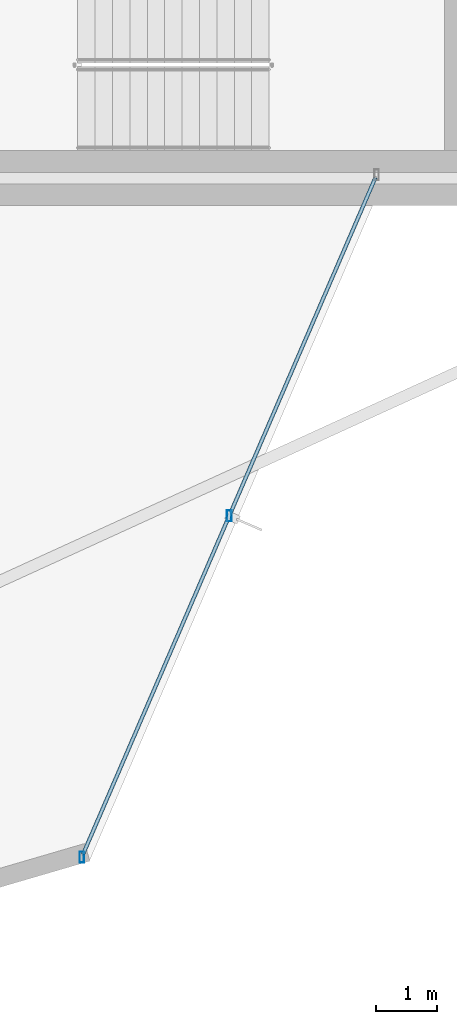
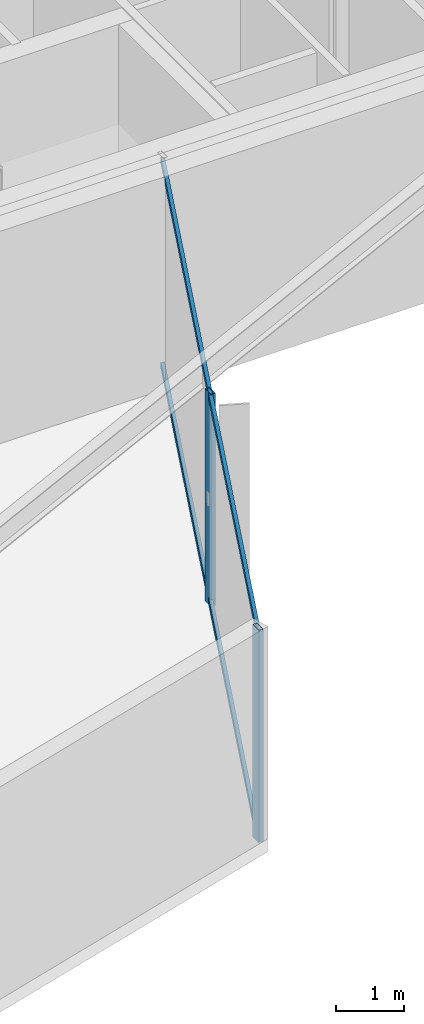
# One storey, part 11 of 26: 4 members, 1 element without a shape of its own.
"""IFC4 building model written with IfcOpenShell, lengths in metres."""

from ifc_helpers import new_model, si_unit, direction, frame, origin, origin_2d, place, context, subcontext, project, spatial, hollow_rectangle, extrude, material, layer, layer_set, material_profile, profile_set, type_object, element, aggregate, save


model = new_model("IFC4")

# Units and contexts
model_context = context("Model", 3, precision=1e-05, world=origin(), true_north=direction((0.0, 1.0)))
body_context = subcontext(model_context, "Body", "Model", "MODEL_VIEW")
ifc_project = project(units=[si_unit("LENGTHUNIT", "METRE"), si_unit("AREAUNIT", "SQUARE_METRE"), si_unit("VOLUMEUNIT", "CUBIC_METRE"), si_unit("PLANEANGLEUNIT", "RADIAN"), si_unit("MASSUNIT", "GRAM", prefix="KILO")], contexts=[model_context])

# Site, building, storey
site_placement = place(None, origin())
site = spatial("IfcSite", under=ifc_project, at=site_placement, CompositionType="ELEMENT")
building_placement = place(site_placement, origin())
building = spatial("IfcBuilding", under=site, at=building_placement, Name="Veymaron Broadcast Tower", CompositionType="ELEMENT")
storey_placement = place(building_placement, frame((0.0, 0.0, 90.449951171875)))
storey = spatial("IfcBuildingStorey", under=building, at=storey_placement, Name="L20", CompositionType="ELEMENT", Elevation=90.449951171875)

# Curtain wall, members
ifc_material_1 = material(Name="Anodised aluminium AA 6063-T6 and laminated low-E dark glass", Category="aluminium")
ifc_layer = layer(ifc_material_1, 0.179931640625)
ifc_layer_set = layer_set([ifc_layer], Name="Anodised aluminium AA 6063-T6 and laminated low-E dark glass")
curtain_wall_type = type_object("IfcCurtainWallType", Name="CW-SYS-02", PredefinedType="NOTDEFINED", material=ifc_layer_set)
curtain_wall_placement = place(storey_placement, origin())
curtain_wall = element("IfcCurtainWall", 1, at=curtain_wall_placement, inside=storey, type_object=curtain_wall_type, Name="L20 dark-glass curtain wall CW-L20-E1-1", PredefinedType="NOTDEFINED")
ifc_material_2 = material(Name="Anodised aluminium AA 6063-T6", Category="aluminium")
ifc_material_profile_1 = material_profile(ifc_material_2, hollow_rectangle(XDim=0.074951171875, YDim=0.179931640625, WallThickness=0.0048828125, at=origin_2d()), Name="AL180X75X5")
ifc_profile_set_1 = profile_set([ifc_material_profile_1], Name="Anodised aluminium AA 6063-T6")
member_type_1 = type_object("IfcMemberType", Name="CW-MUL-02", PredefinedType="MULLION", material=ifc_profile_set_1)
member_1_placement = place(storey_placement, frame((41.497314453125, 4.881591796875, 0.0), z_axis=(0.0, 0.0, 1.0), x_axis=(1.0, 0.0, 0.0)))
member_1 = element("IfcMember", 2, at=member_1_placement, type_object=member_type_1, Name="CW-L20-E1-1 mullion 0", PredefinedType="MULLION", context=body_context, shape_type="SweptSolid", body=[
    extrude(hollow_rectangle(XDim=0.074951171875, YDim=0.179931640625, WallThickness=0.0048828125, at=origin_2d()), origin(), (0.0, 0.0, 1.0), 3.81005859375),
])
member_2_placement = place(storey_placement, frame((43.91162109375, 10.468505859375, 0.0), z_axis=(0.0, 0.0, 1.0), x_axis=(1.0, 0.0, 0.0)))
member_2 = element("IfcMember", 3, at=member_2_placement, type_object=member_type_1, Name="CW-L20-E1-1 mullion 1", PredefinedType="MULLION", context=body_context, shape_type="SweptSolid", body=[
    extrude(hollow_rectangle(XDim=0.074951171875, YDim=0.179931640625, WallThickness=0.0048828125, at=origin_2d()), origin(), (0.0, 0.0, 1.0), 3.81005859375),
])
ifc_material_profile_2 = material_profile(ifc_material_2, hollow_rectangle(XDim=0.06005859375, YDim=0.1201171875, WallThickness=0.00390625, at=origin_2d()), Name="AL120X60X4")
ifc_profile_set_2 = profile_set([ifc_material_profile_2], Name="Anodised aluminium AA 6063-T6")
member_type_2 = type_object("IfcMemberType", Name="CW-TRN-02", PredefinedType="USERDEFINED", material=ifc_profile_set_2)
member_3_placement = place(storey_placement, frame((41.51708984375, 4.927490234375, 0.070068359375), z_axis=(0.396673079042, 0.917959949215, 0.0), x_axis=(-0.917959949215, 0.396673079042, 0.0)))
member_3 = element("IfcMember", 4, at=member_3_placement, type_object=member_type_2, Name="CW-L20-E1-1 transom B", ObjectType="TRANSOM", PredefinedType="USERDEFINED", context=body_context, shape_type="SweptSolid", body=[
    extrude(hollow_rectangle(XDim=0.06005859375, YDim=0.1201171875, WallThickness=0.00390625, at=origin_2d()), origin(), (0.0, 0.0, 1.0), 12.072509765625),
])
member_4_placement = place(storey_placement, frame((41.51708984375, 4.927490234375, 3.739990234375), z_axis=(0.396673079042, 0.917959949215, 0.0), x_axis=(-0.917959949215, 0.396673079042, 0.0)))
member_4 = element("IfcMember", 5, at=member_4_placement, type_object=member_type_2, Name="CW-L20-E1-1 transom T", ObjectType="TRANSOM", PredefinedType="USERDEFINED", context=body_context, shape_type="SweptSolid", body=[
    extrude(hollow_rectangle(XDim=0.06005859375, YDim=0.1201171875, WallThickness=0.00390625, at=origin_2d()), origin(), (0.0, 0.0, 1.0), 12.072509765625),
])
aggregate(curtain_wall, [member_1, member_2, member_3, member_4])

save(model, "model.ifc")
